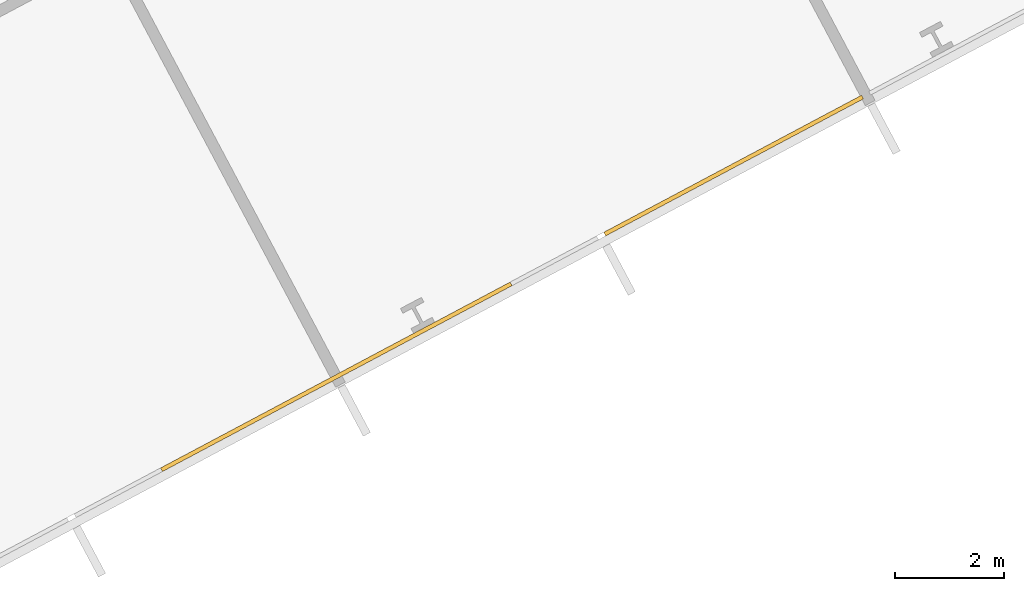
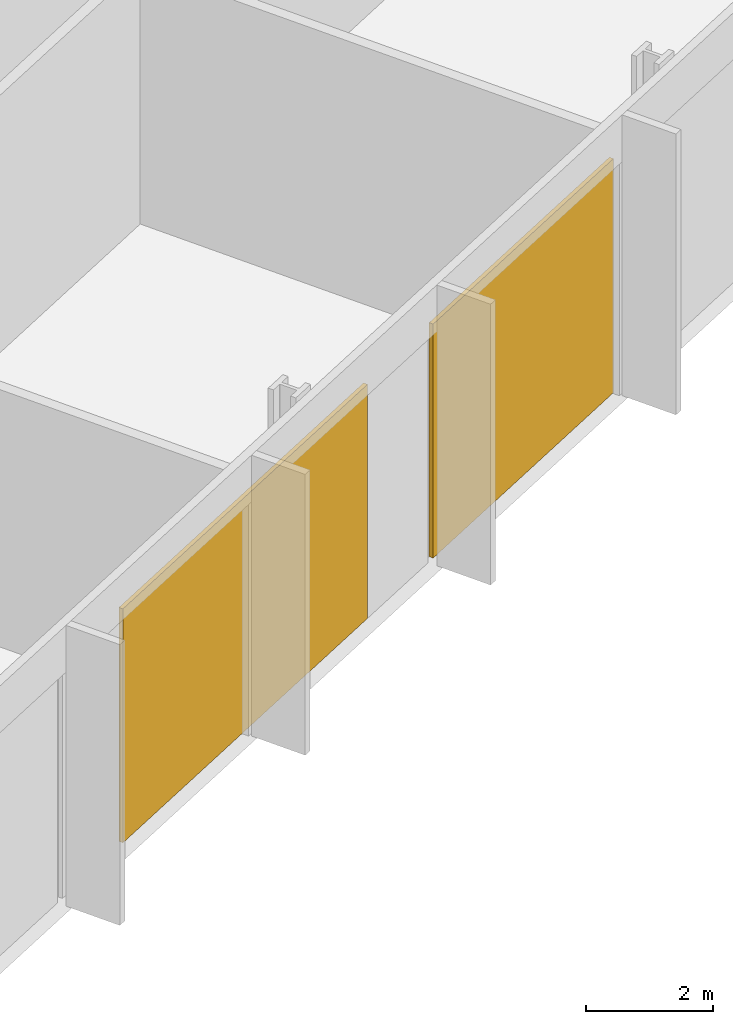
# One storey, part 28 of 32: 2 coverings, 1 element without a shape of its own.
"""IFC4 building model written with IfcOpenShell, lengths in metres."""

from ifc_helpers import new_model, si_unit, direction, frame, origin, origin_2d, place, context, subcontext, project, spatial, rectangle, extrude, material, layer, layer_set, type_object, element, aggregate, save


model = new_model("IFC4")

# Units and contexts
model_context = context("Model", 3, precision=1e-05, world=origin(), true_north=direction((0.0, 1.0)))
body_context = subcontext(model_context, "Body", "Model", "MODEL_VIEW")
ifc_project = project(units=[si_unit("LENGTHUNIT", "METRE"), si_unit("AREAUNIT", "SQUARE_METRE"), si_unit("VOLUMEUNIT", "CUBIC_METRE"), si_unit("PLANEANGLEUNIT", "RADIAN"), si_unit("MASSUNIT", "GRAM", prefix="KILO")], contexts=[model_context])

# Site, building, storey
site_placement = place(None, origin())
site = spatial("IfcSite", under=ifc_project, at=site_placement, CompositionType="ELEMENT")
building_placement = place(site_placement, origin())
building = spatial("IfcBuilding", under=site, at=building_placement, Name="Cormorant Relay Tower", CompositionType="ELEMENT")
storey_placement = place(building_placement, frame((0.0, 0.0, 39.199951171875)))
storey = spatial("IfcBuildingStorey", under=building, at=storey_placement, Name="L07", CompositionType="ELEMENT", Elevation=39.199951171875)

# Curtain wall, coverings
ifc_material_1 = material(Name="Aluminium 6063-T6 anodised bronze", Category="aluminium")
ifc_layer_1 = layer(ifc_material_1, 0.235107421875)
ifc_layer_set_1 = layer_set([ifc_layer_1], Name="CW6 data hall curtain wall with mineral wool panels")
curtain_wall_type = type_object("IfcCurtainWallType", Name="CW6 data hall curtain wall with mineral wool panels", PredefinedType="NOTDEFINED", material=ifc_layer_set_1)
curtain_wall_placement = place(storey_placement, origin())
curtain_wall = element("IfcCurtainWall", 1, at=curtain_wall_placement, inside=storey, type_object=curtain_wall_type, Name="CW6 curtain wall 2", PredefinedType="NOTDEFINED")
ifc_material_2 = material(Name="Mineral wool cored anodised bronze aluminium cassette panel", Category="aluminium")
ifc_layer_2 = layer(ifc_material_2, 0.074951171875)
ifc_layer_set_2 = layer_set([ifc_layer_2], Name="CW6 mineral wool cassette panel 75")
covering_type = type_object("IfcCoveringType", Name="CW6 mineral wool cassette panel 75", PredefinedType="CLADDING", material=ifc_layer_set_2)
covering_1_placement = place(storey_placement, frame((51.333251953125, 3.468017578125, 0.0), z_axis=(0.0, 0.0, 1.0), x_axis=(0.882947592859, 0.469471562786, 0.0)))
covering_1 = element("IfcCovering", 2, at=covering_1_placement, type_object=covering_type, Name="CW6 panel S10", PredefinedType="CLADDING", context=body_context, shape_type="SweptSolid", body=[
    extrude(rectangle(XDim=7.273681640625, YDim=0.074951171875, at=origin_2d()), origin(), (0.0, 0.0, 1.0), 4.5),
])
covering_2_placement = place(storey_placement, frame((58.63330078125, 7.349365234375, 0.0), z_axis=(0.0, 0.0, 1.0), x_axis=(0.882947592859, 0.469471562786, 0.0)))
covering_2 = element("IfcCovering", 3, at=covering_2_placement, type_object=covering_type, Name="CW6 panel S12", PredefinedType="CLADDING", context=body_context, shape_type="SweptSolid", body=[
    extrude(rectangle(XDim=5.36181640625, YDim=0.074951171875, at=origin_2d()), origin(), (0.0, 0.0, 1.0), 4.5),
])
aggregate(curtain_wall, [covering_1, covering_2])

save(model, "model.ifc")
